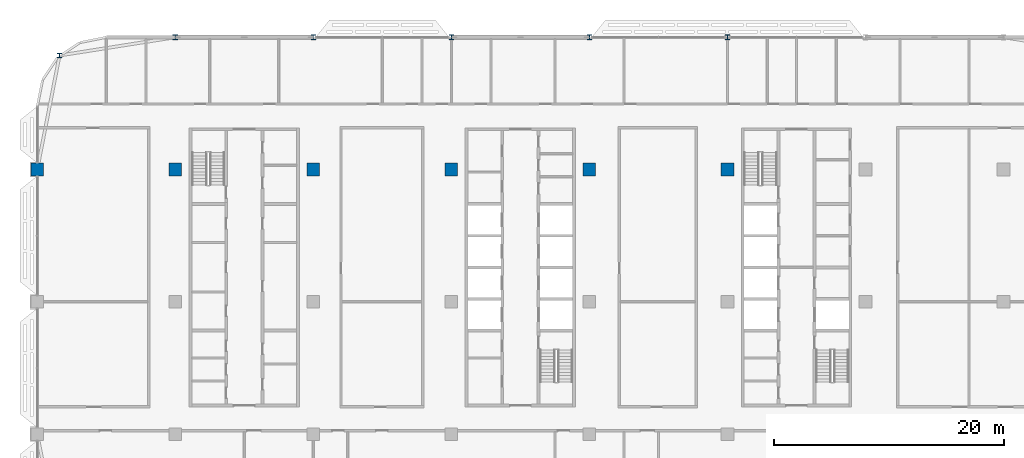
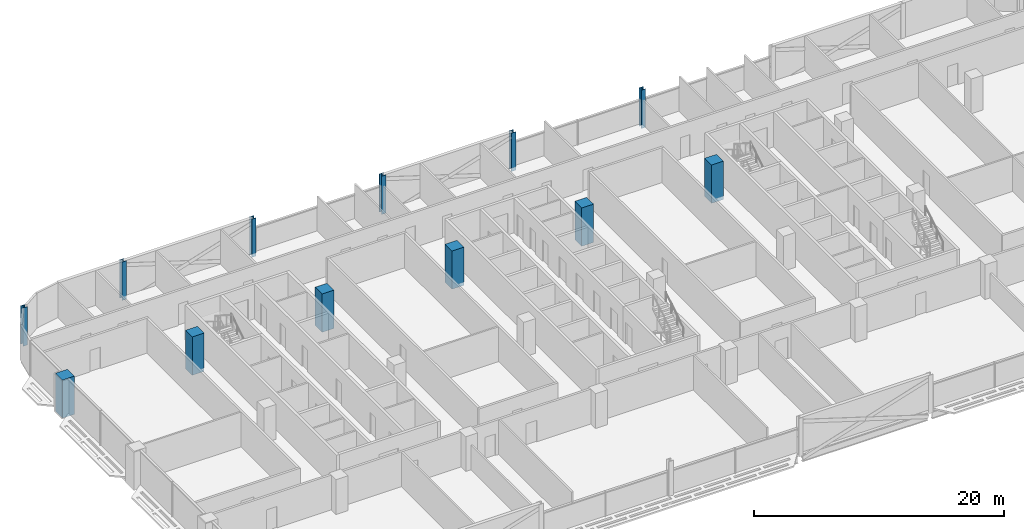
# One storey, part 2 of 30: 12 columns.
"""IFC4 building model written with IfcOpenShell, lengths in metres."""

from ifc_helpers import new_model, si_unit, direction, frame, origin, origin_2d, place, context, subcontext, project, spatial, rectangle, i_section, extrude, material, material_profile, profile_set, type_object, element, save


model = new_model("IFC4")

# Units and contexts
model_context = context("Model", 3, precision=1e-05, world=origin(), true_north=direction((0.0, 1.0)))
body_context = subcontext(model_context, "Body", "Model", "MODEL_VIEW")
ifc_project = project(units=[si_unit("LENGTHUNIT", "METRE"), si_unit("AREAUNIT", "SQUARE_METRE"), si_unit("VOLUMEUNIT", "CUBIC_METRE"), si_unit("PLANEANGLEUNIT", "RADIAN"), si_unit("MASSUNIT", "GRAM", prefix="KILO")], contexts=[model_context])

# Site, building, storey
site_placement = place(None, origin())
site = spatial("IfcSite", under=ifc_project, at=site_placement, CompositionType="ELEMENT")
building_placement = place(site_placement, origin())
building = spatial("IfcBuilding", under=site, at=building_placement, Name="Mahtab Terrace Research Tower", CompositionType="ELEMENT")
storey_placement = place(building_placement, frame((0.0, 0.0, 220.5)))
storey = spatial("IfcBuildingStorey", under=building, at=storey_placement, Name="L53", CompositionType="ELEMENT", Elevation=220.5)

# Columns
ifc_material_1 = material(Name="Concrete C70/85", Category="concrete")
ifc_material_profile_1 = material_profile(ifc_material_1, rectangle(XDim=1.10009765625, YDim=1.10009765625, at=origin_2d()), Name="RC column 1100x1100")
ifc_profile_set_1 = profile_set([ifc_material_profile_1], Name="Concrete C70/85")
column_type_1 = type_object("IfcColumnType", Name="RC column 1100x1100", PredefinedType="COLUMN", material=ifc_profile_set_1)
for number, where, z_axis, x_axis, name in (
    (1, (-42.0, 11.5, -0.340087890625), (0.0, 0.0, 1.0), (1.0, 0.0, 0.0), "Column RC-1C L53"),
    (2, (-30.0, 11.5, -0.340087890625), (0.0, 0.0, 1.0), (1.0, 0.0, 0.0), "Column RC-2C L53"),
    (3, (-18.0, 11.5, -0.340087890625), (0.0, 0.0, 1.0), (1.0, 0.0, 0.0), "Column RC-3C L53"),
    (4, (-6.0, 11.5, -0.340087890625), (0.0, 0.0, 1.0), (1.0, 0.0, 0.0), "Column RC-4C L53"),
    (5, (6.0, 11.5, -0.340087890625), (0.0, 0.0, 1.0), (1.0, 0.0, 0.0), "Column RC-5C L53"),
    (6, (18.0, 11.5, -0.340087890625), (0.0, 0.0, 1.0), (1.0, 0.0, 0.0), "Column RC-6C L53"),
):
    element("IfcColumn", number, at=place(storey_placement, frame(where, z_axis=z_axis, x_axis=x_axis)), inside=storey, type_object=column_type_1, Name=name, PredefinedType="COLUMN", context=body_context, shape_type="SweptSolid", body=[
        extrude(rectangle(XDim=1.10009765625, YDim=1.10009765625, at=origin_2d()), origin(), (0.0, 0.0, 1.0), 3.739990234375),
    ])
ifc_material_2 = material(Name="Steel ASTM A992 Gr 50", Category="steel")
ifc_material_profile_2 = material_profile(ifc_material_2, i_section(OverallWidth=0.4013671875, OverallDepth=0.398681640625, WebThickness=0.02490234375, FlangeThickness=0.03955078125, at=origin_2d()), Name="W14X211")
ifc_profile_set_2 = profile_set([ifc_material_profile_2], Name="Steel ASTM A992 Gr 50")
column_type_2 = type_object("IfcColumnType", Name="W14x211 column CS14211", PredefinedType="COLUMN", material=ifc_profile_set_2)
for number, where, z_axis, x_axis, name in (
    (7, (18.0, 23.0, -0.340087890625), (0.0, 0.0, 1.0), (1.0, 0.0, 0.0), "Column SC-003 L53"),
    (8, (6.0, 23.0, -0.340087890625), (0.0, 0.0, 1.0), (1.0, 0.0, 0.0), "Column SC-004 L53"),
    (9, (-6.0, 23.0, -0.340087890625), (0.0, 0.0, 1.0), (1.0, 0.0, 0.0), "Column SC-005 L53"),
    (10, (-18.0, 23.0, -0.340087890625), (0.0, 0.0, 1.0), (1.0, 0.0, 0.0), "Column SC-006 L53"),
    (11, (-30.0, 23.0, -0.340087890625), (0.0, 0.0, 1.0), (1.0, 0.0, 0.0), "Column SC-007 L53"),
    (12, (-40.06201171875, 21.416015625, -0.340087890625), (0.0, 0.0, 1.0), (1.0, 0.0, 0.0), "Column SC-024 L53"),
):
    element("IfcColumn", number, at=place(storey_placement, frame(where, z_axis=z_axis, x_axis=x_axis)), inside=storey, type_object=column_type_2, Name=name, PredefinedType="COLUMN", context=body_context, shape_type="SweptSolid", body=[
        extrude(i_section(OverallWidth=0.4013671875, OverallDepth=0.398681640625, WebThickness=0.02490234375, FlangeThickness=0.03955078125, at=origin_2d()), origin(), (0.0, 0.0, 1.0), 3.739990234375),
    ])

save(model, "model.ifc")
